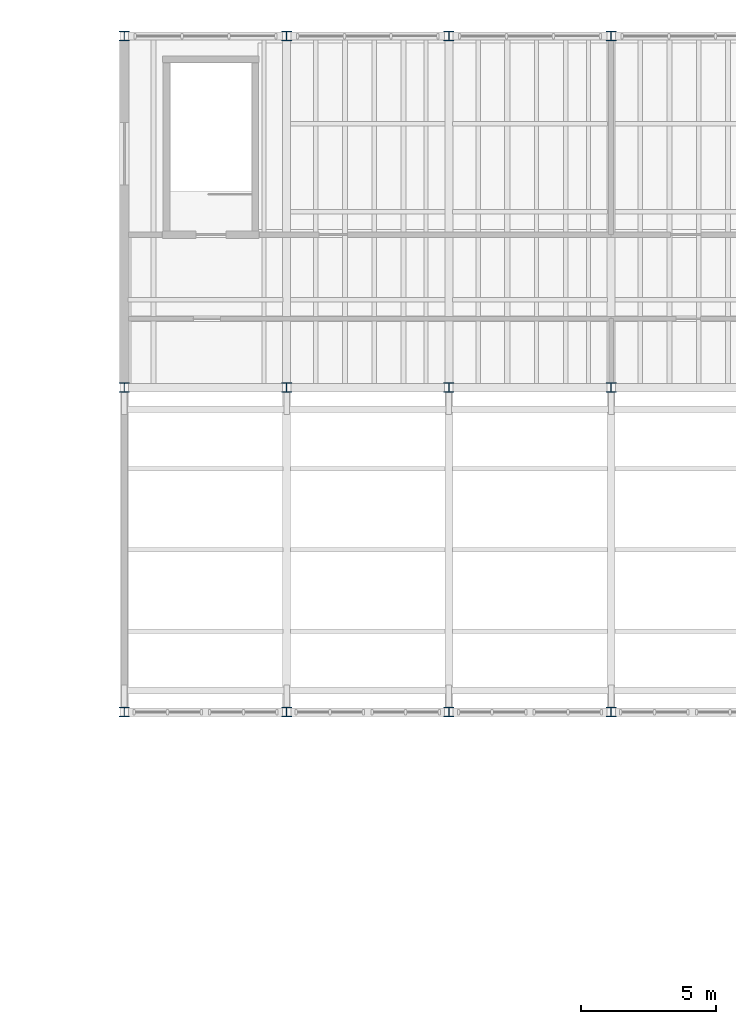
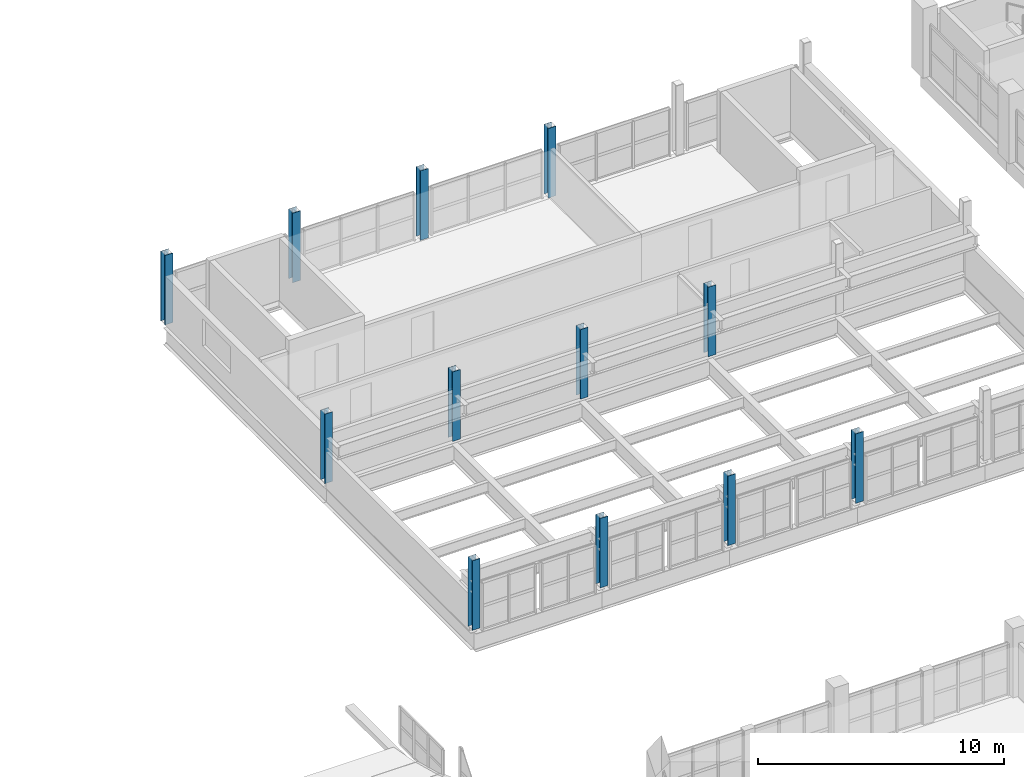
# One storey, part 5 of 77: 12 columns.
"""IFC4 building model written with IfcOpenShell, lengths in metres."""

from ifc_helpers import new_model, si_unit, direction, frame, origin, origin_2d, place, context, subcontext, project, spatial, i_section, extrude, material, material_profile, profile_set, type_object, element, save


model = new_model("IFC4")

# Units and contexts
model_context = context("Model", 3, precision=1e-05, world=origin(), true_north=direction((0.0, 1.0)))
body_context = subcontext(model_context, "Body", "Model", "MODEL_VIEW")
ifc_project = project(units=[si_unit("LENGTHUNIT", "METRE"), si_unit("AREAUNIT", "SQUARE_METRE"), si_unit("VOLUMEUNIT", "CUBIC_METRE"), si_unit("PLANEANGLEUNIT", "RADIAN"), si_unit("MASSUNIT", "GRAM", prefix="KILO")], contexts=[model_context])

# Site, building, storey
site_placement = place(None, origin())
site = spatial("IfcSite", under=ifc_project, at=site_placement, CompositionType="ELEMENT")
building_placement = place(site_placement, origin())
building = spatial("IfcBuilding", under=site, at=building_placement, Name="Trellovar Central Fire Station", CompositionType="ELEMENT")
storey_placement = place(building_placement, frame((0.0, 0.0, 5.85009765625)))
storey = spatial("IfcBuildingStorey", under=building, at=storey_placement, Name="L02", CompositionType="ELEMENT", Elevation=5.85009765625)

# Columns
ifc_material = material(Name="Steel ASTM A992 Grade 50", Category="steel")
ifc_material_profile = material_profile(ifc_material, i_section(OverallWidth=0.368896484375, OverallDepth=0.356201171875, WebThickness=0.01123046875, FlangeThickness=0.01806640625, FilletRadius=0.01513671875, at=origin_2d()), Name="W14X90")
ifc_profile_set = profile_set([ifc_material_profile], Name="Steel ASTM A992 Grade 50")
column_type = type_object("IfcColumnType", Name="COL-SC1", PredefinedType="COLUMN", material=ifc_profile_set)
for number, where, z_axis, x_axis, name in (
    (1, (105.5, 48.0, 0.0), (0.0, 0.0, 1.0), (1.0, 0.0, 0.0), "L02 column SC-1"),
    (2, (105.5, 60.0, 0.0), (0.0, 0.0, 1.0), (1.0, 0.0, 0.0), "L02 column SC-1"),
    (3, (105.5, 73.0, 0.0), (0.0, 0.0, 1.0), (1.0, 0.0, 0.0), "L02 column SC-1"),
    (4, (111.5, 48.0, 0.0), (0.0, 0.0, 1.0), (1.0, 0.0, 0.0), "L02 column SC-1"),
    (5, (111.5, 60.0, 0.0), (0.0, 0.0, 1.0), (1.0, 0.0, 0.0), "L02 column SC-1"),
    (6, (111.5, 73.0, 0.0), (0.0, 0.0, 1.0), (1.0, 0.0, 0.0), "L02 column SC-1"),
    (7, (117.5, 48.0, 0.0), (0.0, 0.0, 1.0), (1.0, 0.0, 0.0), "L02 column SC-1"),
    (8, (117.5, 60.0, 0.0), (0.0, 0.0, 1.0), (1.0, 0.0, 0.0), "L02 column SC-1"),
    (9, (117.5, 73.0, 0.0), (0.0, 0.0, 1.0), (1.0, 0.0, 0.0), "L02 column SC-1"),
    (10, (123.5, 48.0, 0.0), (0.0, 0.0, 1.0), (1.0, 0.0, 0.0), "L02 column SC-1"),
    (11, (123.5, 60.0, 0.0), (0.0, 0.0, 1.0), (1.0, 0.0, 0.0), "L02 column SC-1"),
    (12, (123.5, 73.0, 0.0), (0.0, 0.0, 1.0), (1.0, 0.0, 0.0), "L02 column SC-1"),
):
    element("IfcColumn", number, at=place(storey_placement, frame(where, z_axis=z_axis, x_axis=x_axis)), inside=storey, type_object=column_type, Name=name, PredefinedType="COLUMN", context=body_context, shape_type="SweptSolid", body=[
        extrude(i_section(OverallWidth=0.368896484375, OverallDepth=0.356201171875, WebThickness=0.01123046875, FlangeThickness=0.01806640625, FilletRadius=0.01513671875, at=origin_2d()), origin(), (0.0, 0.0, 1.0), 3.449951171875),
    ])

save(model, "model.ifc")
